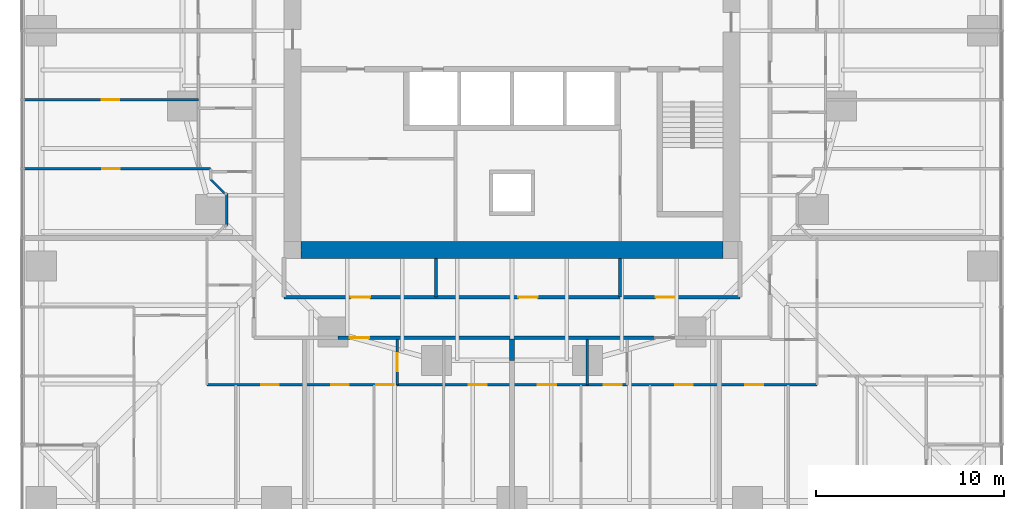
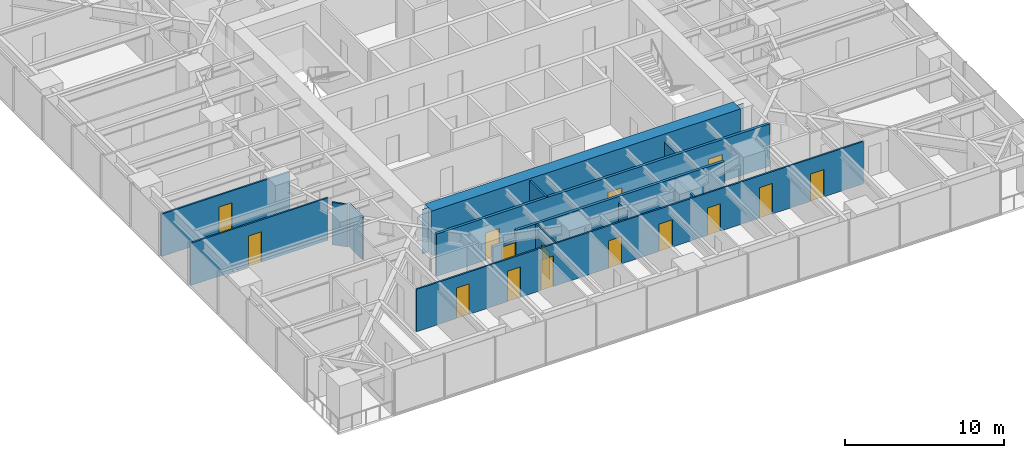
# One storey, part 9 of 18: 15 doors, 14 walls, 15 openings.
"""IFC4 building model written with IfcOpenShell, lengths in metres."""

from ifc_helpers import new_model, si_unit, direction, frame, frame_2d, origin, place, context, subcontext, project, spatial, polyline, rectangle, outline, extrude, material, layer, layer_set, type_object, element, fill, save


model = new_model("IFC4")

# Units and contexts
model_context = context("Model", 3, precision=1e-05, world=origin(), true_north=direction((0.0, 1.0)))
body_context = subcontext(model_context, "Body", "Model", "MODEL_VIEW")
ifc_project = project(units=[si_unit("LENGTHUNIT", "METRE"), si_unit("AREAUNIT", "SQUARE_METRE"), si_unit("VOLUMEUNIT", "CUBIC_METRE"), si_unit("PLANEANGLEUNIT", "RADIAN"), si_unit("MASSUNIT", "GRAM", prefix="KILO")], contexts=[model_context])

# Site, building, storey
site_placement = place(None, origin())
site = spatial("IfcSite", under=ifc_project, at=site_placement, CompositionType="ELEMENT")
building_placement = place(site_placement, origin())
building = spatial("IfcBuilding", under=site, at=building_placement, Name="Torsade Residences", CompositionType="ELEMENT")
storey_placement = place(building_placement, frame((0.0, 0.0, 28.60009765625)))
storey = spatial("IfcBuildingStorey", under=building, at=storey_placement, Name="L07", CompositionType="ELEMENT", Elevation=28.60009765625)

# Wall
ifc_material_1 = material(Name="Concrete 80 MPa", Category="concrete")
ifc_layer_1 = layer(ifc_material_1, 0.89990234375)
ifc_layer_set_1 = layer_set([ifc_layer_1], Name="Concrete 80 MPa")
wall_type_1 = type_object("IfcWallType", Name="CORE WALL 900", PredefinedType="SHEAR", material=ifc_layer_set_1)
wall_1_placement = place(storey_placement, frame((51.199951171875, 18.35009765625, 0.0), z_axis=(0.0, 0.0, 1.0), x_axis=(-1.0, 0.0, 0.0)))
element("IfcWall", 1, at=wall_1_placement, inside=storey, type_object=wall_type_1, Name="Core wall S L07", PredefinedType="SHEAR", context=body_context, shape_type="SweptSolid", body=[
    extrude(outline(polyline([(0.0, -0.449951171875), (22.39990234375, -0.449951171875), (22.39990234375, -0.02490234375), (22.849853515625, -0.02490234375), (22.849853515625, 0.02490234375), (22.39990234375, 0.02490234375), (22.39990234375, 0.449951171875), (0.0, 0.449951171875), (0.0, 0.02490234375), (-0.449951171875, 0.02490234375), (-0.449951171875, -0.02490234375), (0.0, -0.02490234375), (0.0, -0.449951171875)])), origin(), (0.0, 0.0, 1.0), 3.39990234375),
])

# Wall, opening, door
ifc_material_2 = material(Name="Plasterboard on steel stud", Category="steel")
ifc_layer_2 = layer(ifc_material_2, 0.199951171875)
ifc_layer_set_2 = layer_set([ifc_layer_2], Name="Plasterboard on steel stud")
wall_type_2 = type_object("IfcWallType", Name="CORRIDOR WALL 200", PredefinedType="PARTITIONING", material=ifc_layer_set_2)
wall_2_placement = place(storey_placement, frame((30.75830078125, 13.699951171875, 0.0), z_axis=(0.0, 0.0, 1.0), x_axis=(1.0, 0.0, 0.0)))
wall_2 = element("IfcWall", 2, at=wall_2_placement, inside=storey, type_object=wall_type_2, Name="Corridor wall L07", PredefinedType="PARTITIONING", context=body_context, shape_type="SweptSolid", body=[
    extrude(rectangle(XDim=1.683349609375, YDim=0.199951171875, at=frame_2d((0.841796875, 0.0))), origin(), (0.0, 0.0, 1.0), 2.5498046875),
])
opening_1_placement = place(wall_2_placement, frame((0.63671875, 0.0, 0.0)))
opening_1 = element("IfcOpeningElement", 3, at=opening_1_placement, cuts=wall_2, Name="Opening D01", PredefinedType="OPENING", context=body_context, shape_type="SweptSolid", body=[
    extrude(rectangle(XDim=1.02001953125, YDim=2.340087890625, at=frame_2d((0.510009765625, 1.169921875))), frame((0.0, 0.10986328125, 0.0), z_axis=(0.0, -1.0, 0.0), x_axis=(1.0, 0.0, 0.0)), (0.0, 0.0, 1.0), 0.219970703125),
])
ifc_material_3 = material(Name="Solid-core timber fire door", Category="wood")
door_type_1 = type_object("IfcDoorType", Name="APARTMENT ENTRY DOOR 1020x2340", OperationType="NOTDEFINED", PredefinedType="DOOR", material=ifc_material_3)
door_1_placement = place(opening_1_placement, origin())
door_1 = element("IfcDoor", 4, at=door_1_placement, inside=storey, type_object=door_type_1, Name="Door Residential corridor to Kitchen and dining", OperationType="SINGLE_SWING_LEFT", OverallHeight=2.340087890625, OverallWidth=1.02001953125, PredefinedType="DOOR", context=body_context, shape_type="SweptSolid", body=[
    extrude(rectangle(XDim=1.02001953125, YDim=2.340087890625, at=frame_2d((0.510009765625, 1.169921875))), frame((0.0, 0.02490234375, 0.0), z_axis=(0.0, -1.0, 0.0), x_axis=(1.0, 0.0, 0.0)), (0.0, 0.0, 1.0), 0.050048828125),
])
fill(opening_1, door_1)

# Wall
wall_3_placement = place(storey_placement, frame((32.441650390625, 13.699951171875, 0.0), z_axis=(0.0, 0.0, 1.0), x_axis=(1.0, 0.0, 0.0)))
element("IfcWall", 5, at=wall_3_placement, inside=storey, type_object=wall_type_2, Name="Corridor wall L07", PredefinedType="PARTITIONING", context=body_context, shape_type="SweptSolid", body=[
    extrude(rectangle(XDim=15.11669921875, YDim=0.199951171875, at=frame_2d((7.558349609375, 0.0))), origin(), (0.0, 0.0, 1.0), 3.25),
])

# Wall, openings, doors
wall_4_placement = place(storey_placement, frame((27.89990234375, 15.85009765625, 0.0), z_axis=(0.0, 0.0, 1.0), x_axis=(1.0, 0.0, 0.0)))
wall_4 = element("IfcWall", 6, at=wall_4_placement, inside=storey, type_object=wall_type_2, Name="Corridor wall L07", PredefinedType="PARTITIONING", context=body_context, shape_type="SweptSolid", body=[
    extrude(rectangle(XDim=24.2001953125, YDim=0.199951171875, at=frame_2d((12.10009765625, 0.0))), origin(), (0.0, 0.0, 1.0), 3.25),
])
opening_2_placement = place(wall_4_placement, frame((12.43701171875, 0.0, 0.0)))
opening_2 = element("IfcOpeningElement", 7, at=opening_2_placement, cuts=wall_4, Name="Opening D03", PredefinedType="OPENING", context=body_context, shape_type="SweptSolid", body=[
    extrude(rectangle(XDim=1.02001953125, YDim=2.10009765625, at=frame_2d((0.510009765625, 1.050048828125))), frame((0.0, 0.10986328125, 0.0), z_axis=(0.0, -1.0, 0.0), x_axis=(1.0, 0.0, 0.0)), (0.0, 0.0, 1.0), 0.219970703125),
])
opening_3_placement = place(wall_4_placement, frame((3.544189453125, 0.0, 0.0)))
opening_3 = element("IfcOpeningElement", 8, at=opening_3_placement, cuts=wall_4, Name="Opening D03", PredefinedType="OPENING", context=body_context, shape_type="SweptSolid", body=[
    extrude(rectangle(XDim=1.02001953125, YDim=2.10009765625, at=frame_2d((0.510009765625, 1.050048828125))), frame((0.0, 0.10986328125, 0.0), z_axis=(0.0, -1.0, 0.0), x_axis=(1.0, 0.0, 0.0)), (0.0, 0.0, 1.0), 0.219970703125),
])
opening_4_placement = place(wall_4_placement, frame((19.732666015625, 0.0, 0.0)))
opening_4 = element("IfcOpeningElement", 9, at=opening_4_placement, cuts=wall_4, Name="Opening D03", PredefinedType="OPENING", context=body_context, shape_type="SweptSolid", body=[
    extrude(rectangle(XDim=1.02001953125, YDim=2.10009765625, at=frame_2d((0.510009765625, 1.050048828125))), frame((0.0, 0.10986328125, 0.0), z_axis=(0.0, -1.0, 0.0), x_axis=(1.0, 0.0, 0.0)), (0.0, 0.0, 1.0), 0.219970703125),
])
ifc_material_4 = material(Name="Steel-framed fire door", Category="steel")
door_type_2 = type_object("IfcDoorType", Name="FIRE DOOR 1020", OperationType="NOTDEFINED", PredefinedType="DOOR", material=ifc_material_4)
door_2_placement = place(opening_2_placement, origin())
door_2 = element("IfcDoor", 10, at=door_2_placement, inside=storey, type_object=door_type_2, Name="Door Residential corridor to Bulk store", OperationType="SINGLE_SWING_RIGHT", OverallHeight=2.10009765625, OverallWidth=1.02001953125, PredefinedType="DOOR", context=body_context, shape_type="SweptSolid", body=[
    extrude(rectangle(XDim=1.02001953125, YDim=2.10009765625, at=frame_2d((0.510009765625, 1.050048828125))), frame((0.0, 0.02490234375, 0.0), z_axis=(0.0, -1.0, 0.0), x_axis=(1.0, 0.0, 0.0)), (0.0, 0.0, 1.0), 0.050048828125),
])
fill(opening_2, door_2)
door_3_placement = place(opening_3_placement, origin())
door_3 = element("IfcDoor", 11, at=door_3_placement, inside=storey, type_object=door_type_2, Name="Door Residential corridor to Residents storage", OperationType="SINGLE_SWING_LEFT", OverallHeight=2.10009765625, OverallWidth=1.02001953125, PredefinedType="DOOR", context=body_context, shape_type="SweptSolid", body=[
    extrude(rectangle(XDim=1.02001953125, YDim=2.10009765625, at=frame_2d((0.510009765625, 1.050048828125))), frame((0.0, 0.02490234375, 0.0), z_axis=(0.0, -1.0, 0.0), x_axis=(1.0, 0.0, 0.0)), (0.0, 0.0, 1.0), 0.050048828125),
])
fill(opening_3, door_3)
door_4_placement = place(opening_4_placement, origin())
door_4 = element("IfcDoor", 12, at=door_4_placement, inside=storey, type_object=door_type_2, Name="Door Residential corridor to Parcel room", OperationType="SINGLE_SWING_LEFT", OverallHeight=2.10009765625, OverallWidth=1.02001953125, PredefinedType="DOOR", context=body_context, shape_type="SweptSolid", body=[
    extrude(rectangle(XDim=1.02001953125, YDim=2.10009765625, at=frame_2d((0.510009765625, 1.050048828125))), frame((0.0, 0.02490234375, 0.0), z_axis=(0.0, -1.0, 0.0), x_axis=(1.0, 0.0, 0.0)), (0.0, 0.0, 1.0), 0.050048828125),
])
fill(opening_4, door_4)

# Walls
ifc_material_5 = material(Name="Plasterboard on steel stud", Category="steel")
ifc_layer_3 = layer(ifc_material_5, 0.1201171875)
ifc_layer_set_3 = layer_set([ifc_layer_3], Name="Plasterboard on steel stud")
wall_type_3 = type_object("IfcWallType", Name="PARTITION 120", PredefinedType="PARTITIONING", material=ifc_layer_set_3)
wall_5_placement = place(storey_placement, frame((24.85009765625, 19.64990234375, 0.0), z_axis=(0.0, 0.0, 1.0), x_axis=(0.0, 1.0, 0.0)))
element("IfcWall", 13, at=wall_5_placement, inside=storey, type_object=wall_type_3, Name="Partition L07", PredefinedType="PARTITIONING", context=body_context, shape_type="SweptSolid", body=[
    extrude(rectangle(XDim=1.7001953125, YDim=0.1201171875, at=frame_2d((0.85009765625, 0.0))), origin(), (0.0, 0.0, 1.0), 3.25),
])
wall_6_placement = place(storey_placement, frame((24.75, 21.35009765625, 0.0), z_axis=(0.0, 0.0, 1.0), x_axis=(-0.707106781187, 0.707106781187, 0.0)))
element("IfcWall", 14, at=wall_6_placement, inside=storey, type_object=wall_type_3, Name="Partition L07", PredefinedType="PARTITIONING", context=body_context, shape_type="SweptSolid", body=[
    extrude(rectangle(XDim=1.060546875, YDim=0.1201171875, at=frame_2d((0.5302734375, 0.0))), origin(), (0.0, 0.0, 1.0), 3.25),
])

# Wall, opening, door
wall_7_placement = place(storey_placement, frame((24.0, 22.666748046875, 0.0), z_axis=(0.0, 0.0, 1.0), x_axis=(-1.0, 0.0, 0.0)))
wall_7 = element("IfcWall", 15, at=wall_7_placement, inside=storey, type_object=wall_type_3, Name="Partition L07", PredefinedType="PARTITIONING", context=body_context, shape_type="SweptSolid", body=[
    extrude(rectangle(XDim=9.9599609375, YDim=0.1201171875, at=frame_2d((4.97998046875, 0.0))), origin(), (0.0, 0.0, 1.0), 3.25),
])
opening_5_placement = place(wall_7_placement, frame((4.840087890625, 0.0, 0.0)))
opening_5 = element("IfcOpeningElement", 16, at=opening_5_placement, cuts=wall_7, Name="Opening D02", PredefinedType="OPENING", context=body_context, shape_type="SweptSolid", body=[
    extrude(rectangle(XDim=0.919921875, YDim=2.340087890625, at=frame_2d((0.4599609375, 1.169921875))), frame((0.0, 0.070068359375, 0.0), z_axis=(0.0, -1.0, 0.0), x_axis=(1.0, 0.0, 0.0)), (0.0, 0.0, 1.0), 0.14013671875),
])
ifc_material_6 = material(Name="Hollow-core timber door", Category="wood")
door_type_3 = type_object("IfcDoorType", Name="INTERNAL DOOR 920x2340", OperationType="NOTDEFINED", PredefinedType="DOOR", material=ifc_material_6)
door_5_placement = place(opening_5_placement, origin())
door_5 = element("IfcDoor", 17, at=door_5_placement, inside=storey, type_object=door_type_3, Name="Door Bedroom 2 to Bedroom 1", OperationType="SINGLE_SWING_LEFT", OverallHeight=2.340087890625, OverallWidth=0.919921875, PredefinedType="DOOR", context=body_context, shape_type="SweptSolid", body=[
    extrude(rectangle(XDim=0.919921875, YDim=2.340087890625, at=frame_2d((0.4599609375, 1.169921875))), frame((0.0, 0.02490234375, 0.0), z_axis=(0.0, -1.0, 0.0), x_axis=(1.0, 0.0, 0.0)), (0.0, 0.0, 1.0), 0.050048828125),
])
fill(opening_5, door_5)

wall_8_placement = place(storey_placement, frame((23.35009765625, 26.333251953125, 0.0), z_axis=(0.0, 0.0, 1.0), x_axis=(-1.0, 0.0, 0.0)))
wall_8 = element("IfcWall", 18, at=wall_8_placement, inside=storey, type_object=wall_type_3, Name="Partition L07", PredefinedType="PARTITIONING", context=body_context, shape_type="SweptSolid", body=[
    extrude(rectangle(XDim=9.31005859375, YDim=0.1201171875, at=frame_2d((4.655029296875, 0.0))), origin(), (0.0, 0.0, 1.0), 3.25),
])
opening_6_placement = place(wall_8_placement, frame((4.215087890625, 0.0, 0.0)))
opening_6 = element("IfcOpeningElement", 19, at=opening_6_placement, cuts=wall_8, Name="Opening D02", PredefinedType="OPENING", context=body_context, shape_type="SweptSolid", body=[
    extrude(rectangle(XDim=0.919921875, YDim=2.340087890625, at=frame_2d((0.4599609375, 1.169921875))), frame((0.0, 0.070068359375, 0.0), z_axis=(0.0, -1.0, 0.0), x_axis=(1.0, 0.0, 0.0)), (0.0, 0.0, 1.0), 0.14013671875),
])
door_6_placement = place(opening_6_placement, origin())
door_6 = element("IfcDoor", 20, at=door_6_placement, inside=storey, type_object=door_type_3, Name="Door Living room to Bedroom 2", OperationType="SINGLE_SWING_LEFT", OverallHeight=2.340087890625, OverallWidth=0.919921875, PredefinedType="DOOR", context=body_context, shape_type="SweptSolid", body=[
    extrude(rectangle(XDim=0.919921875, YDim=2.340087890625, at=frame_2d((0.4599609375, 1.169921875))), frame((0.0, 0.02490234375, 0.0), z_axis=(0.0, -1.0, 0.0), x_axis=(1.0, 0.0, 0.0)), (0.0, 0.0, 1.0), 0.050048828125),
])
fill(opening_6, door_6)

# Wall, openings, doors
wall_9_placement = place(storey_placement, frame((56.199951171875, 11.199951171875, 0.0), z_axis=(0.0, 0.0, 1.0), x_axis=(-1.0, 0.0, 0.0)))
wall_9 = element("IfcWall", 21, at=wall_9_placement, inside=storey, type_object=wall_type_3, Name="Partition L07", PredefinedType="PARTITIONING", context=body_context, shape_type="SweptSolid", body=[
    extrude(rectangle(XDim=32.39990234375, YDim=0.1201171875, at=frame_2d((16.199951171875, 0.0))), origin(), (0.0, 0.0, 1.0), 3.25),
])
opening_7_placement = place(wall_9_placement, frame((24.881591796875, 0.0, 0.0)))
opening_7 = element("IfcOpeningElement", 22, at=opening_7_placement, cuts=wall_9, Name="Opening D02", PredefinedType="OPENING", context=body_context, shape_type="SweptSolid", body=[
    extrude(rectangle(XDim=0.919921875, YDim=2.340087890625, at=frame_2d((0.4599609375, 1.169921875))), frame((0.0, 0.070068359375, 0.0), z_axis=(0.0, -1.0, 0.0), x_axis=(1.0, 0.0, 0.0)), (0.0, 0.0, 1.0), 0.14013671875),
])
opening_8_placement = place(wall_9_placement, frame((22.4765625, 0.0, 0.0)))
opening_8 = element("IfcOpeningElement", 23, at=opening_8_placement, cuts=wall_9, Name="Opening D02", PredefinedType="OPENING", context=body_context, shape_type="SweptSolid", body=[
    extrude(rectangle(XDim=0.919921875, YDim=2.340087890625, at=frame_2d((0.4599609375, 1.169921875))), frame((0.0, 0.070068359375, 0.0), z_axis=(0.0, -1.0, 0.0), x_axis=(1.0, 0.0, 0.0)), (0.0, 0.0, 1.0), 0.14013671875),
])
opening_9_placement = place(wall_9_placement, frame((6.598388671875, 0.0, 0.0)))
opening_9 = element("IfcOpeningElement", 24, at=opening_9_placement, cuts=wall_9, Name="Opening D02", PredefinedType="OPENING", context=body_context, shape_type="SweptSolid", body=[
    extrude(rectangle(XDim=0.919921875, YDim=2.340087890625, at=frame_2d((0.4599609375, 1.169921875))), frame((0.0, 0.070068359375, 0.0), z_axis=(0.0, -1.0, 0.0), x_axis=(1.0, 0.0, 0.0)), (0.0, 0.0, 1.0), 0.14013671875),
])
opening_10_placement = place(wall_9_placement, frame((28.598388671875, 0.0, 0.0)))
opening_10 = element("IfcOpeningElement", 25, at=opening_10_placement, cuts=wall_9, Name="Opening D02", PredefinedType="OPENING", context=body_context, shape_type="SweptSolid", body=[
    extrude(rectangle(XDim=0.919921875, YDim=2.340087890625, at=frame_2d((0.4599609375, 1.169921875))), frame((0.0, 0.070068359375, 0.0), z_axis=(0.0, -1.0, 0.0), x_axis=(1.0, 0.0, 0.0)), (0.0, 0.0, 1.0), 0.14013671875),
])
opening_11_placement = place(wall_9_placement, frame((2.861572265625, 0.0, 0.0)))
opening_11 = element("IfcOpeningElement", 26, at=opening_11_placement, cuts=wall_9, Name="Opening D05", PredefinedType="OPENING", context=body_context, shape_type="SweptSolid", body=[
    extrude(rectangle(XDim=0.9599609375, YDim=2.10009765625, at=frame_2d((0.47998046875, 1.050048828125))), frame((0.0, 0.070068359375, 0.0), z_axis=(0.0, -1.0, 0.0), x_axis=(1.0, 0.0, 0.0)), (0.0, 0.0, 1.0), 0.14013671875),
])
opening_12_placement = place(wall_9_placement, frame((10.363037109375, 0.0, 0.0)))
opening_12 = element("IfcOpeningElement", 27, at=opening_12_placement, cuts=wall_9, Name="Opening D05", PredefinedType="OPENING", context=body_context, shape_type="SweptSolid", body=[
    extrude(rectangle(XDim=0.9599609375, YDim=2.10009765625, at=frame_2d((0.47998046875, 1.050048828125))), frame((0.0, 0.070068359375, 0.0), z_axis=(0.0, -1.0, 0.0), x_axis=(1.0, 0.0, 0.0)), (0.0, 0.0, 1.0), 0.14013671875),
])
opening_13_placement = place(wall_9_placement, frame((13.861572265625, 0.0, 0.0)))
opening_13 = element("IfcOpeningElement", 28, at=opening_13_placement, cuts=wall_9, Name="Opening D05", PredefinedType="OPENING", context=body_context, shape_type="SweptSolid", body=[
    extrude(rectangle(XDim=0.9599609375, YDim=2.10009765625, at=frame_2d((0.47998046875, 1.050048828125))), frame((0.0, 0.070068359375, 0.0), z_axis=(0.0, -1.0, 0.0), x_axis=(1.0, 0.0, 0.0)), (0.0, 0.0, 1.0), 0.14013671875),
])
opening_14_placement = place(wall_9_placement, frame((17.52880859375, 0.0, 0.0)))
opening_14 = element("IfcOpeningElement", 29, at=opening_14_placement, cuts=wall_9, Name="Opening D05", PredefinedType="OPENING", context=body_context, shape_type="SweptSolid", body=[
    extrude(rectangle(XDim=0.9599609375, YDim=2.10009765625, at=frame_2d((0.47998046875, 1.050048828125))), frame((0.0, 0.070068359375, 0.0), z_axis=(0.0, -1.0, 0.0), x_axis=(1.0, 0.0, 0.0)), (0.0, 0.0, 1.0), 0.14013671875),
])
ifc_material_7 = material(Name="Hollow-core timber door in a steel cavity frame", Category="steel")
door_type_4 = type_object("IfcDoorType", Name="BATHROOM CAVITY SLIDING DOOR 960", OperationType="SLIDING_TO_LEFT", PredefinedType="DOOR", material=ifc_material_7)
door_7_placement = place(opening_11_placement, origin())
door_7 = element("IfcDoor", 30, at=door_7_placement, inside=storey, type_object=door_type_4, Name="Door Bathroom to Study", OperationType="SLIDING_TO_LEFT", OverallHeight=2.10009765625, OverallWidth=0.9599609375, PredefinedType="DOOR", context=body_context, shape_type="SweptSolid", body=[
    extrude(rectangle(XDim=0.9599609375, YDim=2.10009765625, at=frame_2d((0.47998046875, 1.050048828125))), frame((0.0, 0.02490234375, 0.0), z_axis=(0.0, -1.0, 0.0), x_axis=(1.0, 0.0, 0.0)), (0.0, 0.0, 1.0), 0.050048828125),
])
fill(opening_11, door_7)
door_8_placement = place(opening_12_placement, origin())
door_8 = element("IfcDoor", 31, at=door_8_placement, inside=storey, type_object=door_type_4, Name="Door Bathroom to Bedroom 2", OperationType="SLIDING_TO_LEFT", OverallHeight=2.10009765625, OverallWidth=0.9599609375, PredefinedType="DOOR", context=body_context, shape_type="SweptSolid", body=[
    extrude(rectangle(XDim=0.9599609375, YDim=2.10009765625, at=frame_2d((0.47998046875, 1.050048828125))), frame((0.0, 0.02490234375, 0.0), z_axis=(0.0, -1.0, 0.0), x_axis=(1.0, 0.0, 0.0)), (0.0, 0.0, 1.0), 0.050048828125),
])
fill(opening_12, door_8)
door_9_placement = place(opening_13_placement, origin())
door_9 = element("IfcDoor", 32, at=door_9_placement, inside=storey, type_object=door_type_4, Name="Door Living room to Ensuite", OperationType="SLIDING_TO_LEFT", OverallHeight=2.10009765625, OverallWidth=0.9599609375, PredefinedType="DOOR", context=body_context, shape_type="SweptSolid", body=[
    extrude(rectangle(XDim=0.9599609375, YDim=2.10009765625, at=frame_2d((0.47998046875, 1.050048828125))), frame((0.0, 0.02490234375, 0.0), z_axis=(0.0, -1.0, 0.0), x_axis=(1.0, 0.0, 0.0)), (0.0, 0.0, 1.0), 0.050048828125),
])
fill(opening_13, door_9)
door_10_placement = place(opening_14_placement, origin())
door_10 = element("IfcDoor", 33, at=door_10_placement, inside=storey, type_object=door_type_4, Name="Door Bedroom 1 to Bathroom", OperationType="SLIDING_TO_LEFT", OverallHeight=2.10009765625, OverallWidth=0.9599609375, PredefinedType="DOOR", context=body_context, shape_type="SweptSolid", body=[
    extrude(rectangle(XDim=0.9599609375, YDim=2.10009765625, at=frame_2d((0.47998046875, 1.050048828125))), frame((0.0, 0.02490234375, 0.0), z_axis=(0.0, -1.0, 0.0), x_axis=(1.0, 0.0, 0.0)), (0.0, 0.0, 1.0), 0.050048828125),
])
fill(opening_14, door_10)
door_11_placement = place(opening_7_placement, origin())
door_11 = element("IfcDoor", 34, at=door_11_placement, inside=storey, type_object=door_type_3, Name="Door Kitchen and dining to Living room", OperationType="SINGLE_SWING_RIGHT", OverallHeight=2.340087890625, OverallWidth=0.919921875, PredefinedType="DOOR", context=body_context, shape_type="SweptSolid", body=[
    extrude(rectangle(XDim=0.919921875, YDim=2.340087890625, at=frame_2d((0.4599609375, 1.169921875))), frame((0.0, 0.02490234375, 0.0), z_axis=(0.0, -1.0, 0.0), x_axis=(1.0, 0.0, 0.0)), (0.0, 0.0, 1.0), 0.050048828125),
])
fill(opening_7, door_11)
door_12_placement = place(opening_8_placement, origin())
door_12 = element("IfcDoor", 35, at=door_12_placement, inside=storey, type_object=door_type_3, Name="Door Kitchen and dining to Bedroom 2", OperationType="SINGLE_SWING_RIGHT", OverallHeight=2.340087890625, OverallWidth=0.919921875, PredefinedType="DOOR", context=body_context, shape_type="SweptSolid", body=[
    extrude(rectangle(XDim=0.919921875, YDim=2.340087890625, at=frame_2d((0.4599609375, 1.169921875))), frame((0.0, 0.02490234375, 0.0), z_axis=(0.0, -1.0, 0.0), x_axis=(1.0, 0.0, 0.0)), (0.0, 0.0, 1.0), 0.050048828125),
])
fill(opening_8, door_12)
door_13_placement = place(opening_9_placement, origin())
door_13 = element("IfcDoor", 36, at=door_13_placement, inside=storey, type_object=door_type_3, Name="Door Kitchen and dining to Bedroom 1", OperationType="SINGLE_SWING_LEFT", OverallHeight=2.340087890625, OverallWidth=0.919921875, PredefinedType="DOOR", context=body_context, shape_type="SweptSolid", body=[
    extrude(rectangle(XDim=0.919921875, YDim=2.340087890625, at=frame_2d((0.4599609375, 1.169921875))), frame((0.0, 0.02490234375, 0.0), z_axis=(0.0, -1.0, 0.0), x_axis=(1.0, 0.0, 0.0)), (0.0, 0.0, 1.0), 0.050048828125),
])
fill(opening_9, door_13)
door_14_placement = place(opening_10_placement, origin())
door_14 = element("IfcDoor", 37, at=door_14_placement, inside=storey, type_object=door_type_3, Name="Door Kitchen and dining to Study", OperationType="SINGLE_SWING_RIGHT", OverallHeight=2.340087890625, OverallWidth=0.919921875, PredefinedType="DOOR", context=body_context, shape_type="SweptSolid", body=[
    extrude(rectangle(XDim=0.919921875, YDim=2.340087890625, at=frame_2d((0.4599609375, 1.169921875))), frame((0.0, 0.02490234375, 0.0), z_axis=(0.0, -1.0, 0.0), x_axis=(1.0, 0.0, 0.0)), (0.0, 0.0, 1.0), 0.050048828125),
])
fill(opening_10, door_14)

# Wall, opening, door
wall_10_placement = place(storey_placement, frame((33.909912109375, 13.60009765625, 0.0), z_axis=(0.0, 0.0, 1.0), x_axis=(0.0, -1.0, 0.0)))
wall_10 = element("IfcWall", 38, at=wall_10_placement, inside=storey, type_object=wall_type_3, Name="Partition L07", PredefinedType="PARTITIONING", context=body_context, shape_type="SweptSolid", body=[
    extrude(rectangle(XDim=2.400146484375, YDim=0.1201171875, at=frame_2d((1.2001953125, 0.0))), origin(), (0.0, 0.0, 1.0), 3.25),
])
opening_15_placement = place(wall_10_placement, frame((0.719970703125, 0.0, 0.0)))
opening_15 = element("IfcOpeningElement", 39, at=opening_15_placement, cuts=wall_10, Name="Opening D05", PredefinedType="OPENING", context=body_context, shape_type="SweptSolid", body=[
    extrude(rectangle(XDim=0.9599609375, YDim=2.10009765625, at=frame_2d((0.47998046875, 1.050048828125))), frame((0.0, 0.070068359375, 0.0), z_axis=(0.0, -1.0, 0.0), x_axis=(1.0, 0.0, 0.0)), (0.0, 0.0, 1.0), 0.14013671875),
])
door_15_placement = place(opening_15_placement, origin())
door_15 = element("IfcDoor", 40, at=door_15_placement, inside=storey, type_object=door_type_4, Name="Door Kitchen and dining to Ensuite", OperationType="SLIDING_TO_LEFT", OverallHeight=2.10009765625, OverallWidth=0.9599609375, PredefinedType="DOOR", context=body_context, shape_type="SweptSolid", body=[
    extrude(rectangle(XDim=0.9599609375, YDim=2.10009765625, at=frame_2d((0.47998046875, 1.050048828125))), frame((0.0, 0.02490234375, 0.0), z_axis=(0.0, -1.0, 0.0), x_axis=(1.0, 0.0, 0.0)), (0.0, 0.0, 1.0), 0.050048828125),
])
fill(opening_15, door_15)

# Walls
wall_11_placement = place(storey_placement, frame((44.0, 11.199951171875, 0.0), z_axis=(0.0, 0.0, 1.0), x_axis=(0.0, 1.0, 0.0)))
element("IfcWall", 41, at=wall_11_placement, inside=storey, type_object=wall_type_3, Name="Partition L07", PredefinedType="PARTITIONING", context=body_context, shape_type="SweptSolid", body=[
    extrude(rectangle(XDim=2.400146484375, YDim=0.1201171875, at=frame_2d((1.2001953125, 0.0))), origin(), (0.0, 0.0, 1.0), 3.25),
])
ifc_material_8 = material(Name="Masonry-lined stud party wall", Category="masonry")
ifc_layer_4 = layer(ifc_material_8, 0.25)
ifc_layer_set_4 = layer_set([ifc_layer_4], Name="Masonry-lined stud party wall")
wall_type_4 = type_object("IfcWallType", Name="PARTY WALL 250", PredefinedType="PARTITIONING", material=ifc_layer_set_4)
wall_12_placement = place(storey_placement, frame((40.0, 12.5, 0.0), z_axis=(0.0, 0.0, 1.0), x_axis=(0.0, 1.0, 0.0)))
element("IfcWall", 42, at=wall_12_placement, inside=storey, type_object=wall_type_4, Name="Party wall L07", PredefinedType="PARTITIONING", context=body_context, shape_type="SweptSolid", body=[
    extrude(rectangle(XDim=1.139892578125, YDim=0.25, at=frame_2d((0.56982421875, 0.0))), origin(), (0.0, 0.0, 1.0), 2.7958984375),
])
ifc_material_9 = material(Name="Reinforced blockwork", Category="masonry")
ifc_layer_5 = layer(ifc_material_9, 0.14990234375)
ifc_layer_set_5 = layer_set([ifc_layer_5], Name="Reinforced blockwork")
wall_type_5 = type_object("IfcWallType", Name="SERVICE ROOM WALL 150", PredefinedType="SOLIDWALL", material=ifc_layer_set_5)
wall_13_placement = place(storey_placement, frame((35.95849609375, 15.85009765625, 0.0), z_axis=(0.0, 0.0, 1.0), x_axis=(0.0, 1.0, 0.0)))
element("IfcWall", 43, at=wall_13_placement, inside=storey, type_object=wall_type_5, Name="Service room wall L07", PredefinedType="SOLIDWALL", context=body_context, shape_type="SweptSolid", body=[
    extrude(rectangle(XDim=2.0498046875, YDim=0.14990234375, at=frame_2d((1.02490234375, 0.0))), origin(), (0.0, 0.0, 1.0), 3.25),
])
wall_14_placement = place(storey_placement, frame((45.7353515625, 15.85009765625, 0.0), z_axis=(0.0, 0.0, 1.0), x_axis=(0.0, 1.0, 0.0)))
element("IfcWall", 44, at=wall_14_placement, inside=storey, type_object=wall_type_5, Name="Service room wall L07", PredefinedType="SOLIDWALL", context=body_context, shape_type="SweptSolid", body=[
    extrude(rectangle(XDim=2.0498046875, YDim=0.14990234375, at=frame_2d((1.02490234375, 0.0))), origin(), (0.0, 0.0, 1.0), 2.7958984375),
])

save(model, "model.ifc")
